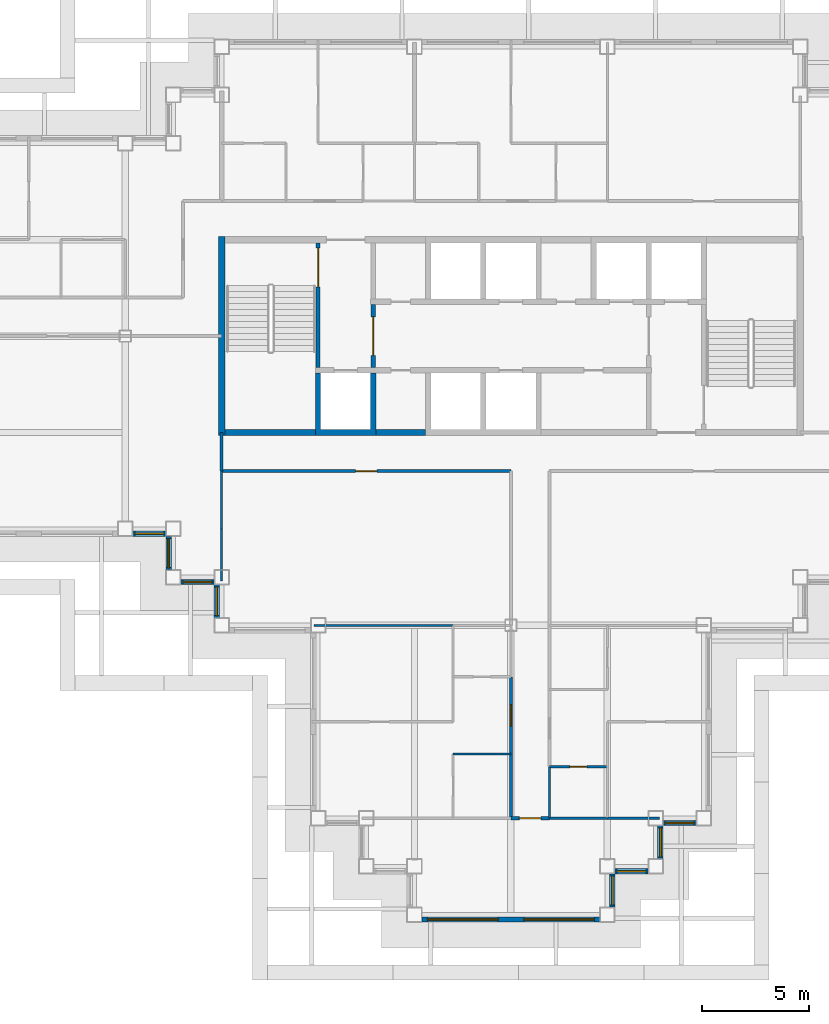
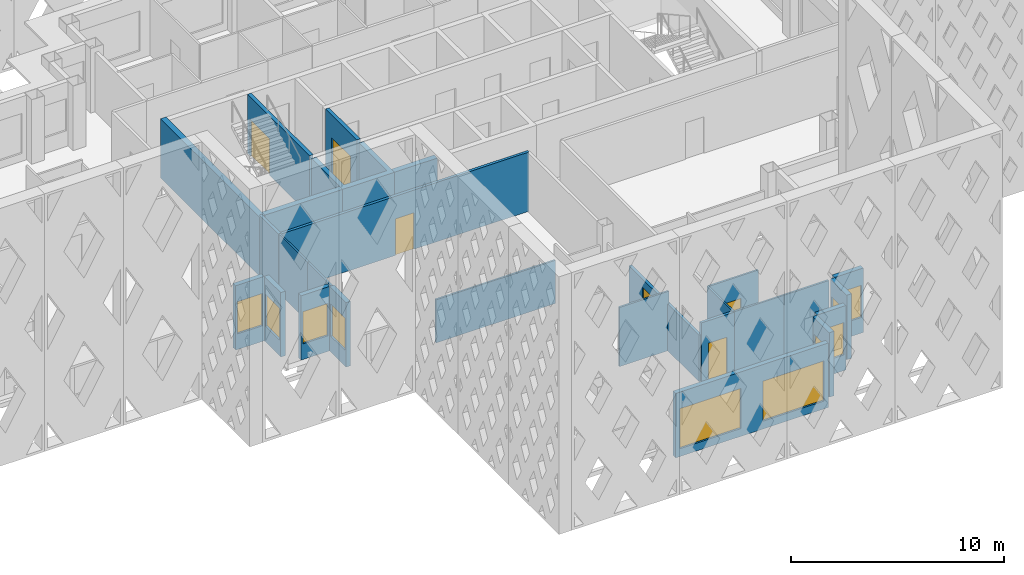
# One storey, part 3 of 16: 27 walls, 10 windows, 6 doors, 16 openings.
"""IFC4 building model written with IfcOpenShell, lengths in metres."""

from ifc_helpers import new_model, si_unit, direction, frame, frame_2d, origin, place, context, subcontext, project, spatial, polyline, rectangle, outline, extrude, material, layer, layer_set, type_object, element, fill, save


model = new_model("IFC4")

# Units and contexts
model_context = context("Model", 3, precision=1e-05, world=origin(), true_north=direction((0.0, 1.0)))
body_context = subcontext(model_context, "Body", "Model", "MODEL_VIEW")
ifc_project = project(units=[si_unit("LENGTHUNIT", "METRE"), si_unit("AREAUNIT", "SQUARE_METRE"), si_unit("VOLUMEUNIT", "CUBIC_METRE"), si_unit("PLANEANGLEUNIT", "RADIAN"), si_unit("MASSUNIT", "GRAM", prefix="KILO")], contexts=[model_context])

# Site, building, storey
site_placement = place(None, origin())
site = spatial("IfcSite", under=ifc_project, at=site_placement, CompositionType="ELEMENT")
building_placement = place(site_placement, origin())
building = spatial("IfcBuilding", under=site, at=building_placement, Name="Caravel Reach Hotel and Residences", CompositionType="ELEMENT")
storey_placement = place(building_placement, frame((0.0, 0.0, 207.199951171875)))
storey = spatial("IfcBuildingStorey", under=building, at=storey_placement, Name="L52", CompositionType="ELEMENT", Elevation=207.199951171875)

# Wall
ifc_material_1 = material(Name="Gypsum board on steel stud", Category="steel")
ifc_layer_1 = layer(ifc_material_1, 0.10009765625)
ifc_layer_set_1 = layer_set([ifc_layer_1], Name="Bathroom pod wall 100 mm")
wall_type_1 = type_object("IfcWallType", Name="Bathroom pod wall 100 mm", PredefinedType="PARTITIONING", material=ifc_layer_set_1)
wall_1_placement = place(storey_placement, frame((33.300048828125, 4.5, 0.0), z_axis=(0.0, 0.0, 1.0), x_axis=(1.0, 0.0, 0.0)))
element("IfcWall", 1, at=wall_1_placement, inside=storey, type_object=wall_type_1, Name="L52 wall w072", PredefinedType="PARTITIONING", context=body_context, shape_type="SweptSolid", body=[
    extrude(rectangle(XDim=2.699951171875, YDim=0.10009765625, at=frame_2d((1.35009765625, 0.0))), origin(), (0.0, 0.0, 1.0), 3.400146484375),
])

# Wall, opening, door
wall_2_placement = place(storey_placement, frame((33.300048828125, 6.89990234375, 0.0), z_axis=(0.0, 0.0, 1.0), x_axis=(1.0, 0.0, 0.0)))
wall_2 = element("IfcWall", 2, at=wall_2_placement, inside=storey, type_object=wall_type_1, Name="L52 wall w073", PredefinedType="PARTITIONING", context=body_context, shape_type="SweptSolid", body=[
    extrude(rectangle(XDim=2.699951171875, YDim=0.10009765625, at=frame_2d((1.35009765625, 0.0))), origin(), (0.0, 0.0, 1.0), 3.400146484375),
])
opening_1_placement = place(wall_2_placement, frame((0.949951171875, 0.0, 0.0)))
opening_1 = element("IfcOpeningElement", 3, at=opening_1_placement, cuts=wall_2, Name="Opening D52-037", PredefinedType="OPENING", context=body_context, shape_type="SweptSolid", body=[
    extrude(rectangle(XDim=0.800048828125, YDim=2.10009765625, at=frame_2d((0.39990234375, 1.050048828125))), frame((0.0, 0.06005859375, 0.0), z_axis=(0.0, -1.0, 0.0), x_axis=(1.0, 0.0, 0.0)), (0.0, 0.0, 1.0), 0.1201171875),
])
ifc_material_2 = material(Name="Timber and steel door leaf", Category="steel")
door_type_1 = type_object("IfcDoorType", Name="Bathroom door 800 x 2100", OperationType="SINGLE_SWING_LEFT", PredefinedType="DOOR", material=ifc_material_2)
door_1_placement = place(opening_1_placement, origin())
door_1 = element("IfcDoor", 4, at=door_1_placement, inside=storey, type_object=door_type_1, Name="door D52-037", OperationType="SINGLE_SWING_LEFT", OverallHeight=2.10009765625, OverallWidth=0.800048828125, PredefinedType="DOOR", context=body_context, shape_type="SweptSolid", body=[
    extrude(rectangle(XDim=0.800048828125, YDim=2.10009765625, at=frame_2d((0.39990234375, 1.050048828125))), frame((0.0, 0.02490234375, 0.0), z_axis=(0.0, -1.0, 0.0), x_axis=(1.0, 0.0, 0.0)), (0.0, 0.0, 1.0), 0.050048828125),
])
fill(opening_1, door_1)

# Walls
wall_3_placement = place(storey_placement, frame((33.300048828125, 4.5, 0.0), z_axis=(0.0, 0.0, 1.0), x_axis=(0.0, 1.0, 0.0)))
element("IfcWall", 5, at=wall_3_placement, inside=storey, type_object=wall_type_1, Name="L52 wall w078", PredefinedType="PARTITIONING", context=body_context, shape_type="SweptSolid", body=[
    extrude(rectangle(XDim=2.39990234375, YDim=0.10009765625, at=frame_2d((1.199951171875, 0.0))), origin(), (0.0, 0.0, 1.0), 3.400146484375),
])
ifc_material_3 = material(Name="Concrete C60", Category="concrete")
ifc_layer_2 = layer(ifc_material_3, 0.300048828125)
ifc_layer_set_2 = layer_set([ifc_layer_2], Name="Core wall 300 mm EI 120")
wall_type_2 = type_object("IfcWallType", Name="Core wall 300 mm EI 120", PredefinedType="SHEAR", material=ifc_layer_set_2)
wall_4_placement = place(storey_placement, frame((18.14990234375, 22.5, 0.0), z_axis=(0.0, 0.0, 1.0), x_axis=(1.0, 0.0, 0.0)))
element("IfcWall", 6, at=wall_4_placement, inside=storey, type_object=wall_type_2, Name="L52 core wall S1", PredefinedType="SHEAR", context=body_context, shape_type="SweptSolid", body=[
    extrude(rectangle(XDim=4.22509765625, YDim=0.300048828125, at=frame_2d((2.112548828125, 0.0))), origin(), (0.0, 0.0, 1.0), 3.400146484375),
])
wall_5_placement = place(storey_placement, frame((25.196533203125, 22.5, 0.0), z_axis=(0.0, 0.0, 1.0), x_axis=(1.0, 0.0, 0.0)))
element("IfcWall", 7, at=wall_5_placement, inside=storey, type_object=wall_type_2, Name="L52 core wall S2", PredefinedType="SHEAR", context=body_context, shape_type="SweptSolid", body=[
    extrude(rectangle(XDim=2.3212890625, YDim=0.300048828125, at=frame_2d((1.16064453125, 0.0))), origin(), (0.0, 0.0, 1.0), 3.400146484375),
])
wall_6_placement = place(storey_placement, frame((18.0, 22.35009765625, 0.0), z_axis=(0.0, 0.0, 1.0), x_axis=(0.0, 1.0, 0.0)))
element("IfcWall", 8, at=wall_6_placement, inside=storey, type_object=wall_type_2, Name="L52 core wall W", PredefinedType="SHEAR", context=body_context, shape_type="SweptSolid", body=[
    extrude(rectangle(XDim=9.2998046875, YDim=0.300048828125, at=frame_2d((4.64990234375, 0.0))), origin(), (0.0, 0.0, 1.0), 3.400146484375),
])

# Wall, opening, door
ifc_material_4 = material(Name="Gypsum board on steel stud, fire-rated", Category="steel")
ifc_layer_3 = layer(ifc_material_4, 0.14990234375)
ifc_layer_set_3 = layer_set([ifc_layer_3], Name="Corridor wall 150 mm EI 60")
wall_type_3 = type_object("IfcWallType", Name="Corridor wall 150 mm EI 60", PredefinedType="PARTITIONING", material=ifc_layer_set_3)
wall_7_placement = place(storey_placement, frame((18.0, 20.699951171875, 0.0), z_axis=(0.0, 0.0, 1.0), x_axis=(1.0, 0.0, 0.0)))
wall_7 = element("IfcWall", 9, at=wall_7_placement, inside=storey, type_object=wall_type_3, Name="L52 wall w004", PredefinedType="PARTITIONING", context=body_context, shape_type="SweptSolid", body=[
    extrude(rectangle(XDim=13.5, YDim=0.14990234375, at=frame_2d((6.75, 0.0))), origin(), (0.0, 0.0, 1.0), 3.400146484375),
])
opening_2_placement = place(wall_7_placement, frame((6.25, 0.0, 0.0)))
opening_2 = element("IfcOpeningElement", 10, at=opening_2_placement, cuts=wall_7, Name="Opening D52-030", PredefinedType="OPENING", context=body_context, shape_type="SweptSolid", body=[
    extrude(rectangle(XDim=1.0, YDim=2.10009765625, at=frame_2d((0.5, 1.050048828125))), frame((0.0, 0.0849609375, 0.0), z_axis=(0.0, -1.0, 0.0), x_axis=(1.0, 0.0, 0.0)), (0.0, 0.0, 1.0), 0.169921875),
])
ifc_material_5 = material(Name="Steel fire door leaf", Category="steel")
door_type_2 = type_object("IfcDoorType", Name="Fire door 1000 x 2100 EI 60", OperationType="SINGLE_SWING_LEFT", PredefinedType="DOOR", material=ifc_material_5)
door_2_placement = place(opening_2_placement, origin())
door_2 = element("IfcDoor", 11, at=door_2_placement, inside=storey, type_object=door_type_2, Name="door D52-030", OperationType="SINGLE_SWING_LEFT", OverallHeight=2.10009765625, OverallWidth=1.0, PredefinedType="DOOR", context=body_context, shape_type="SweptSolid", body=[
    extrude(rectangle(XDim=1.0, YDim=2.10009765625, at=frame_2d((0.5, 1.050048828125))), frame((0.0, 0.02490234375, 0.0), z_axis=(0.0, -1.0, 0.0), x_axis=(1.0, 0.0, 0.0)), (0.0, 0.0, 1.0), 0.050048828125),
])
fill(opening_2, door_2)

wall_8_placement = place(storey_placement, frame((31.5, 4.5, 0.0), z_axis=(0.0, 0.0, 1.0), x_axis=(1.0, 0.0, 0.0)))
wall_8 = element("IfcWall", 12, at=wall_8_placement, inside=storey, type_object=wall_type_3, Name="L52 wall w016", PredefinedType="PARTITIONING", context=body_context, shape_type="SweptSolid", body=[
    extrude(rectangle(XDim=1.800048828125, YDim=0.14990234375, at=frame_2d((0.89990234375, 0.0))), origin(), (0.0, 0.0, 1.0), 3.400146484375),
])
opening_3_placement = place(wall_8_placement, frame((0.39990234375, 0.0, 0.0)))
opening_3 = element("IfcOpeningElement", 13, at=opening_3_placement, cuts=wall_8, Name="Opening D52-042", PredefinedType="OPENING", context=body_context, shape_type="SweptSolid", body=[
    extrude(rectangle(XDim=1.0, YDim=2.10009765625, at=frame_2d((0.5, 1.050048828125))), frame((0.0, 0.0849609375, 0.0), z_axis=(0.0, -1.0, 0.0), x_axis=(1.0, 0.0, 0.0)), (0.0, 0.0, 1.0), 0.169921875),
])
door_3_placement = place(opening_3_placement, origin())
door_3 = element("IfcDoor", 14, at=door_3_placement, inside=storey, type_object=door_type_2, Name="door D52-042", OperationType="SINGLE_SWING_RIGHT", OverallHeight=2.10009765625, OverallWidth=1.0, PredefinedType="DOOR", context=body_context, shape_type="SweptSolid", body=[
    extrude(rectangle(XDim=1.0, YDim=2.10009765625, at=frame_2d((0.5, 1.050048828125))), frame((0.0, 0.02490234375, 0.0), z_axis=(0.0, -1.0, 0.0), x_axis=(1.0, 0.0, 0.0)), (0.0, 0.0, 1.0), 0.050048828125),
])
fill(opening_3, door_3)

# Wall
wall_9_placement = place(storey_placement, frame((18.0, 20.699951171875, 0.0), z_axis=(0.0, 0.0, 1.0), x_axis=(0.0, 1.0, 0.0)))
element("IfcWall", 15, at=wall_9_placement, inside=storey, type_object=wall_type_3, Name="L52 wall w018", PredefinedType="PARTITIONING", context=body_context, shape_type="SweptSolid", body=[
    extrude(rectangle(XDim=1.800048828125, YDim=0.14990234375, at=frame_2d((0.89990234375, 0.0))), origin(), (0.0, 0.0, 1.0), 3.400146484375),
])

# Wall, opening, door
wall_10_placement = place(storey_placement, frame((31.5, 4.5, 0.0), z_axis=(0.0, 0.0, 1.0), x_axis=(0.0, 1.0, 0.0)))
wall_10 = element("IfcWall", 16, at=wall_10_placement, inside=storey, type_object=wall_type_3, Name="L52 wall w020", PredefinedType="PARTITIONING", context=body_context, shape_type="SweptSolid", body=[
    extrude(rectangle(XDim=6.60009765625, YDim=0.14990234375, at=frame_2d((3.300048828125, 0.0))), origin(), (0.0, 0.0, 1.0), 2.679931640625),
])
opening_4_placement = place(wall_10_placement, frame((4.300048828125, 0.0, 0.0)))
opening_4 = element("IfcOpeningElement", 17, at=opening_4_placement, cuts=wall_10, Name="Opening D52-032", PredefinedType="OPENING", context=body_context, shape_type="SweptSolid", body=[
    extrude(rectangle(XDim=1.0, YDim=2.199951171875, at=frame_2d((0.5, 1.10009765625))), frame((0.0, 0.0849609375, 0.0), z_axis=(0.0, -1.0, 0.0), x_axis=(1.0, 0.0, 0.0)), (0.0, 0.0, 1.0), 0.169921875),
])
ifc_material_6 = material(Name="Steel fire door leaf", Category="steel")
door_type_3 = type_object("IfcDoorType", Name="Flat entrance door 1000 x 2200 EI 60", OperationType="SINGLE_SWING_LEFT", PredefinedType="DOOR", material=ifc_material_6)
door_4_placement = place(opening_4_placement, origin())
door_4 = element("IfcDoor", 18, at=door_4_placement, inside=storey, type_object=door_type_3, Name="door D52-032", OperationType="SINGLE_SWING_RIGHT", OverallHeight=2.199951171875, OverallWidth=1.0, PredefinedType="DOOR", context=body_context, shape_type="SweptSolid", body=[
    extrude(rectangle(XDim=1.0, YDim=2.199951171875, at=frame_2d((0.5, 1.10009765625))), frame((0.0, 0.02490234375, 0.0), z_axis=(0.0, -1.0, 0.0), x_axis=(1.0, 0.0, 0.0)), (0.0, 0.0, 1.0), 0.050048828125),
])
fill(opening_4, door_4)

# Wall, opening, window
ifc_material_7 = material(Name="Insulated rainscreen wall, aluminium cladding", Category="aluminium")
ifc_layer_4 = layer(ifc_material_7, 0.25)
ifc_layer_set_4 = layer_set([ifc_layer_4], Name="EW1 Tower rainscreen wall")
wall_type_4 = type_object("IfcWallType", Name="EW1 Tower rainscreen wall", PredefinedType="SOLIDWALL", material=ifc_layer_set_4)
wall_11_placement = place(storey_placement, frame((13.85009765625, 17.77490234375, 0.0), z_axis=(0.0, 0.0, 1.0), x_axis=(1.0, 0.0, 0.0)))
wall_11 = element("IfcWall", 19, at=wall_11_placement, inside=storey, type_object=wall_type_4, Name="External wall L52 S25.2", PredefinedType="SOLIDWALL", context=body_context, shape_type="SweptSolid", body=[
    extrude(rectangle(XDim=1.5498046875, YDim=0.25, at=frame_2d((0.77490234375, 0.0))), origin(), (0.0, 0.0, 1.0), 3.699951171875),
])
opening_5_placement = place(wall_11_placement, frame((0.10009765625, 0.0, 0.89990234375)))
opening_5 = element("IfcOpeningElement", 20, at=opening_5_placement, cuts=wall_11, Name="Opening WN21", PredefinedType="OPENING", context=body_context, shape_type="SweptSolid", body=[
    extrude(rectangle(XDim=1.35009765625, YDim=1.85009765625, at=frame_2d((0.675048828125, 0.925048828125))), frame((0.0, 0.135009765625, 0.0), z_axis=(0.0, -1.0, 0.0), x_axis=(1.0, 0.0, 0.0)), (0.0, 0.0, 1.0), 0.27001953125),
])
ifc_material_8 = material(Name="Dark low-e glazing in black aluminium frame", Category="aluminium")
window_type_1 = type_object("IfcWindowType", Name="Residence bedroom window 1350 x 1850", PartitioningType="SINGLE_PANEL", PredefinedType="WINDOW", material=ifc_material_8)
window_1_placement = place(opening_5_placement, origin())
window_1 = element("IfcWindow", 21, at=window_1_placement, inside=storey, type_object=window_type_1, Name="Window L52 S25.2.1", OverallHeight=1.85009765625, OverallWidth=1.35009765625, PartitioningType="SINGLE_PANEL", PredefinedType="WINDOW", context=body_context, shape_type="SweptSolid", body=[
    extrude(rectangle(XDim=1.35009765625, YDim=1.85009765625, at=frame_2d((0.675048828125, 0.925048828125))), frame((0.0, 0.030029296875, 0.0), z_axis=(0.0, -1.0, 0.0), x_axis=(1.0, 0.0, 0.0)), (0.0, 0.0, 1.0), 0.06005859375),
])
fill(opening_5, window_1)

wall_12_placement = place(storey_placement, frame((15.52490234375, 17.64990234375, 0.0), z_axis=(0.0, 0.0, 1.0), x_axis=(0.0, -1.0, 0.0)))
wall_12 = element("IfcWall", 22, at=wall_12_placement, inside=storey, type_object=wall_type_4, Name="External wall L52 W26.1", PredefinedType="SOLIDWALL", context=body_context, shape_type="SweptSolid", body=[
    extrude(rectangle(XDim=1.5498046875, YDim=0.25, at=frame_2d((0.77490234375, 0.0))), origin(), (0.0, 0.0, 1.0), 3.699951171875),
])
opening_6_placement = place(wall_12_placement, frame((0.10009765625, 0.0, 0.89990234375)))
opening_6 = element("IfcOpeningElement", 23, at=opening_6_placement, cuts=wall_12, Name="Opening WN21", PredefinedType="OPENING", context=body_context, shape_type="SweptSolid", body=[
    extrude(rectangle(XDim=1.35009765625, YDim=1.85009765625, at=frame_2d((0.675048828125, 0.925048828125))), frame((0.0, 0.135009765625, 0.0), z_axis=(0.0, -1.0, 0.0), x_axis=(1.0, 0.0, 0.0)), (0.0, 0.0, 1.0), 0.27001953125),
])
window_2_placement = place(opening_6_placement, origin())
window_2 = element("IfcWindow", 24, at=window_2_placement, inside=storey, type_object=window_type_1, Name="Window L52 W26.1.1", OverallHeight=1.85009765625, OverallWidth=1.35009765625, PartitioningType="SINGLE_PANEL", PredefinedType="WINDOW", context=body_context, shape_type="SweptSolid", body=[
    extrude(rectangle(XDim=1.35009765625, YDim=1.85009765625, at=frame_2d((0.675048828125, 0.925048828125))), frame((0.0, 0.030029296875, 0.0), z_axis=(0.0, -1.0, 0.0), x_axis=(1.0, 0.0, 0.0)), (0.0, 0.0, 1.0), 0.06005859375),
])
fill(opening_6, window_2)

wall_13_placement = place(storey_placement, frame((16.10009765625, 15.52490234375, 0.0), z_axis=(0.0, 0.0, 1.0), x_axis=(1.0, 0.0, 0.0)))
wall_13 = element("IfcWall", 25, at=wall_13_placement, inside=storey, type_object=wall_type_4, Name="External wall L52 S27.1", PredefinedType="SOLIDWALL", context=body_context, shape_type="SweptSolid", body=[
    extrude(rectangle(XDim=1.5498046875, YDim=0.25, at=frame_2d((0.77490234375, 0.0))), origin(), (0.0, 0.0, 1.0), 3.699951171875),
])
opening_7_placement = place(wall_13_placement, frame((0.10009765625, 0.0, 0.89990234375)))
opening_7 = element("IfcOpeningElement", 26, at=opening_7_placement, cuts=wall_13, Name="Opening WN21", PredefinedType="OPENING", context=body_context, shape_type="SweptSolid", body=[
    extrude(rectangle(XDim=1.35009765625, YDim=1.85009765625, at=frame_2d((0.675048828125, 0.925048828125))), frame((0.0, 0.135009765625, 0.0), z_axis=(0.0, -1.0, 0.0), x_axis=(1.0, 0.0, 0.0)), (0.0, 0.0, 1.0), 0.27001953125),
])
window_3_placement = place(opening_7_placement, origin())
window_3 = element("IfcWindow", 27, at=window_3_placement, inside=storey, type_object=window_type_1, Name="Window L52 S27.1.1", OverallHeight=1.85009765625, OverallWidth=1.35009765625, PartitioningType="SINGLE_PANEL", PredefinedType="WINDOW", context=body_context, shape_type="SweptSolid", body=[
    extrude(rectangle(XDim=1.35009765625, YDim=1.85009765625, at=frame_2d((0.675048828125, 0.925048828125))), frame((0.0, 0.030029296875, 0.0), z_axis=(0.0, -1.0, 0.0), x_axis=(1.0, 0.0, 0.0)), (0.0, 0.0, 1.0), 0.06005859375),
])
fill(opening_7, window_3)

wall_14_placement = place(storey_placement, frame((17.77490234375, 15.39990234375, 0.0), z_axis=(0.0, 0.0, 1.0), x_axis=(0.0, -1.0, 0.0)))
wall_14 = element("IfcWall", 28, at=wall_14_placement, inside=storey, type_object=wall_type_4, Name="External wall L52 W28.1", PredefinedType="SOLIDWALL", context=body_context, shape_type="SweptSolid", body=[
    extrude(rectangle(XDim=1.5498046875, YDim=0.25, at=frame_2d((0.77490234375, 0.0))), origin(), (0.0, 0.0, 1.0), 3.699951171875),
])
opening_8_placement = place(wall_14_placement, frame((0.10009765625, 0.0, 0.89990234375)))
opening_8 = element("IfcOpeningElement", 29, at=opening_8_placement, cuts=wall_14, Name="Opening WN21", PredefinedType="OPENING", context=body_context, shape_type="SweptSolid", body=[
    extrude(rectangle(XDim=1.35009765625, YDim=1.85009765625, at=frame_2d((0.675048828125, 0.925048828125))), frame((0.0, 0.135009765625, 0.0), z_axis=(0.0, -1.0, 0.0), x_axis=(1.0, 0.0, 0.0)), (0.0, 0.0, 1.0), 0.27001953125),
])
window_4_placement = place(opening_8_placement, origin())
window_4 = element("IfcWindow", 30, at=window_4_placement, inside=storey, type_object=window_type_1, Name="Window L52 W28.1.1", OverallHeight=1.85009765625, OverallWidth=1.35009765625, PartitioningType="SINGLE_PANEL", PredefinedType="WINDOW", context=body_context, shape_type="SweptSolid", body=[
    extrude(rectangle(XDim=1.35009765625, YDim=1.85009765625, at=frame_2d((0.675048828125, 0.925048828125))), frame((0.0, 0.030029296875, 0.0), z_axis=(0.0, -1.0, 0.0), x_axis=(1.0, 0.0, 0.0)), (0.0, 0.0, 1.0), 0.06005859375),
])
fill(opening_8, window_4)

# Wall, openings, windows
wall_15_placement = place(storey_placement, frame((27.35009765625, -0.22509765625, 0.0), z_axis=(0.0, 0.0, 1.0), x_axis=(1.0, 0.0, 0.0)))
wall_15 = element("IfcWall", 31, at=wall_15_placement, inside=storey, type_object=wall_type_4, Name="External wall L52 S35.1", PredefinedType="SOLIDWALL", context=body_context, shape_type="SweptSolid", body=[
    extrude(rectangle(XDim=8.2998046875, YDim=0.25, at=frame_2d((4.14990234375, 0.0))), origin(), (0.0, 0.0, 1.0), 3.699951171875),
])
opening_9_placement = place(wall_15_placement, frame((0.25, 0.0, 0.449951171875)))
opening_9 = element("IfcOpeningElement", 32, at=opening_9_placement, cuts=wall_15, Name="Opening WN15", PredefinedType="OPENING", context=body_context, shape_type="SweptSolid", body=[
    extrude(rectangle(XDim=3.300048828125, YDim=2.300048828125, at=frame_2d((1.64990234375, 1.14990234375))), frame((0.0, 0.135009765625, 0.0), z_axis=(0.0, -1.0, 0.0), x_axis=(1.0, 0.0, 0.0)), (0.0, 0.0, 1.0), 0.27001953125),
])
opening_10_placement = place(wall_15_placement, frame((4.75, 0.0, 0.449951171875)))
opening_10 = element("IfcOpeningElement", 33, at=opening_10_placement, cuts=wall_15, Name="Opening WN15", PredefinedType="OPENING", context=body_context, shape_type="SweptSolid", body=[
    extrude(rectangle(XDim=3.300048828125, YDim=2.300048828125, at=frame_2d((1.64990234375, 1.14990234375))), frame((0.0, 0.135009765625, 0.0), z_axis=(0.0, -1.0, 0.0), x_axis=(1.0, 0.0, 0.0)), (0.0, 0.0, 1.0), 0.27001953125),
])
ifc_material_9 = material(Name="Dark low-e glazing in black aluminium frame", Category="aluminium")
window_type_2 = type_object("IfcWindowType", Name="Residence living window 3300 x 2300", PartitioningType="SINGLE_PANEL", PredefinedType="WINDOW", material=ifc_material_9)
window_5_placement = place(opening_9_placement, origin())
window_5 = element("IfcWindow", 34, at=window_5_placement, inside=storey, type_object=window_type_2, Name="Window L52 S35.1.1", OverallHeight=2.300048828125, OverallWidth=3.300048828125, PartitioningType="SINGLE_PANEL", PredefinedType="WINDOW", context=body_context, shape_type="SweptSolid", body=[
    extrude(rectangle(XDim=3.300048828125, YDim=2.300048828125, at=frame_2d((1.64990234375, 1.14990234375))), frame((0.0, 0.030029296875, 0.0), z_axis=(0.0, -1.0, 0.0), x_axis=(1.0, 0.0, 0.0)), (0.0, 0.0, 1.0), 0.06005859375),
])
fill(opening_9, window_5)
window_6_placement = place(opening_10_placement, origin())
window_6 = element("IfcWindow", 35, at=window_6_placement, inside=storey, type_object=window_type_2, Name="Window L52 S35.1.2", OverallHeight=2.300048828125, OverallWidth=3.300048828125, PartitioningType="SINGLE_PANEL", PredefinedType="WINDOW", context=body_context, shape_type="SweptSolid", body=[
    extrude(rectangle(XDim=3.300048828125, YDim=2.300048828125, at=frame_2d((1.64990234375, 1.14990234375))), frame((0.0, 0.030029296875, 0.0), z_axis=(0.0, -1.0, 0.0), x_axis=(1.0, 0.0, 0.0)), (0.0, 0.0, 1.0), 0.06005859375),
])
fill(opening_10, window_6)

# Wall, opening, window
wall_16_placement = place(storey_placement, frame((36.22509765625, 0.35009765625, 0.0), z_axis=(0.0, 0.0, 1.0), x_axis=(0.0, 1.0, 0.0)))
wall_16 = element("IfcWall", 36, at=wall_16_placement, inside=storey, type_object=wall_type_4, Name="External wall L52 E36.1", PredefinedType="SOLIDWALL", context=body_context, shape_type="SweptSolid", body=[
    extrude(rectangle(XDim=1.5498046875, YDim=0.25, at=frame_2d((0.77490234375, 0.0))), origin(), (0.0, 0.0, 1.0), 3.699951171875),
])
opening_11_placement = place(wall_16_placement, frame((0.10009765625, 0.0, 0.89990234375)))
opening_11 = element("IfcOpeningElement", 37, at=opening_11_placement, cuts=wall_16, Name="Opening WN21", PredefinedType="OPENING", context=body_context, shape_type="SweptSolid", body=[
    extrude(rectangle(XDim=1.35009765625, YDim=1.85009765625, at=frame_2d((0.675048828125, 0.925048828125))), frame((0.0, 0.135009765625, 0.0), z_axis=(0.0, -1.0, 0.0), x_axis=(1.0, 0.0, 0.0)), (0.0, 0.0, 1.0), 0.27001953125),
])
window_7_placement = place(opening_11_placement, origin())
window_7 = element("IfcWindow", 38, at=window_7_placement, inside=storey, type_object=window_type_1, Name="Window L52 E36.1.1", OverallHeight=1.85009765625, OverallWidth=1.35009765625, PartitioningType="SINGLE_PANEL", PredefinedType="WINDOW", context=body_context, shape_type="SweptSolid", body=[
    extrude(rectangle(XDim=1.35009765625, YDim=1.85009765625, at=frame_2d((0.675048828125, 0.925048828125))), frame((0.0, 0.030029296875, 0.0), z_axis=(0.0, -1.0, 0.0), x_axis=(1.0, 0.0, 0.0)), (0.0, 0.0, 1.0), 0.06005859375),
])
fill(opening_11, window_7)

wall_17_placement = place(storey_placement, frame((36.35009765625, 2.02490234375, 0.0), z_axis=(0.0, 0.0, 1.0), x_axis=(1.0, 0.0, 0.0)))
wall_17 = element("IfcWall", 39, at=wall_17_placement, inside=storey, type_object=wall_type_4, Name="External wall L52 S37.1", PredefinedType="SOLIDWALL", context=body_context, shape_type="SweptSolid", body=[
    extrude(rectangle(XDim=1.5498046875, YDim=0.25, at=frame_2d((0.77490234375, 0.0))), origin(), (0.0, 0.0, 1.0), 3.699951171875),
])
opening_12_placement = place(wall_17_placement, frame((0.10009765625, 0.0, 0.89990234375)))
opening_12 = element("IfcOpeningElement", 40, at=opening_12_placement, cuts=wall_17, Name="Opening WN21", PredefinedType="OPENING", context=body_context, shape_type="SweptSolid", body=[
    extrude(rectangle(XDim=1.35009765625, YDim=1.85009765625, at=frame_2d((0.675048828125, 0.925048828125))), frame((0.0, 0.135009765625, 0.0), z_axis=(0.0, -1.0, 0.0), x_axis=(1.0, 0.0, 0.0)), (0.0, 0.0, 1.0), 0.27001953125),
])
window_8_placement = place(opening_12_placement, origin())
window_8 = element("IfcWindow", 41, at=window_8_placement, inside=storey, type_object=window_type_1, Name="Window L52 S37.1.1", OverallHeight=1.85009765625, OverallWidth=1.35009765625, PartitioningType="SINGLE_PANEL", PredefinedType="WINDOW", context=body_context, shape_type="SweptSolid", body=[
    extrude(rectangle(XDim=1.35009765625, YDim=1.85009765625, at=frame_2d((0.675048828125, 0.925048828125))), frame((0.0, 0.030029296875, 0.0), z_axis=(0.0, -1.0, 0.0), x_axis=(1.0, 0.0, 0.0)), (0.0, 0.0, 1.0), 0.06005859375),
])
fill(opening_12, window_8)

wall_18_placement = place(storey_placement, frame((38.47509765625, 2.60009765625, 0.0), z_axis=(0.0, 0.0, 1.0), x_axis=(0.0, 1.0, 0.0)))
wall_18 = element("IfcWall", 42, at=wall_18_placement, inside=storey, type_object=wall_type_4, Name="External wall L52 E38.1", PredefinedType="SOLIDWALL", context=body_context, shape_type="SweptSolid", body=[
    extrude(rectangle(XDim=1.5498046875, YDim=0.25, at=frame_2d((0.77490234375, 0.0))), origin(), (0.0, 0.0, 1.0), 3.699951171875),
])
opening_13_placement = place(wall_18_placement, frame((0.10009765625, 0.0, 0.89990234375)))
opening_13 = element("IfcOpeningElement", 43, at=opening_13_placement, cuts=wall_18, Name="Opening WN21", PredefinedType="OPENING", context=body_context, shape_type="SweptSolid", body=[
    extrude(rectangle(XDim=1.35009765625, YDim=1.85009765625, at=frame_2d((0.675048828125, 0.925048828125))), frame((0.0, 0.135009765625, 0.0), z_axis=(0.0, -1.0, 0.0), x_axis=(1.0, 0.0, 0.0)), (0.0, 0.0, 1.0), 0.27001953125),
])
window_9_placement = place(opening_13_placement, origin())
window_9 = element("IfcWindow", 44, at=window_9_placement, inside=storey, type_object=window_type_1, Name="Window L52 E38.1.1", OverallHeight=1.85009765625, OverallWidth=1.35009765625, PartitioningType="SINGLE_PANEL", PredefinedType="WINDOW", context=body_context, shape_type="SweptSolid", body=[
    extrude(rectangle(XDim=1.35009765625, YDim=1.85009765625, at=frame_2d((0.675048828125, 0.925048828125))), frame((0.0, 0.030029296875, 0.0), z_axis=(0.0, -1.0, 0.0), x_axis=(1.0, 0.0, 0.0)), (0.0, 0.0, 1.0), 0.06005859375),
])
fill(opening_13, window_9)

wall_19_placement = place(storey_placement, frame((38.60009765625, 4.27490234375, 0.0), z_axis=(0.0, 0.0, 1.0), x_axis=(1.0, 0.0, 0.0)))
wall_19 = element("IfcWall", 45, at=wall_19_placement, inside=storey, type_object=wall_type_4, Name="External wall L52 S39.1", PredefinedType="SOLIDWALL", context=body_context, shape_type="SweptSolid", body=[
    extrude(rectangle(XDim=1.5498046875, YDim=0.25, at=frame_2d((0.77490234375, 0.0))), origin(), (0.0, 0.0, 1.0), 3.699951171875),
])
opening_14_placement = place(wall_19_placement, frame((0.10009765625, 0.0, 0.89990234375)))
opening_14 = element("IfcOpeningElement", 46, at=opening_14_placement, cuts=wall_19, Name="Opening WN21", PredefinedType="OPENING", context=body_context, shape_type="SweptSolid", body=[
    extrude(rectangle(XDim=1.35009765625, YDim=1.85009765625, at=frame_2d((0.675048828125, 0.925048828125))), frame((0.0, 0.135009765625, 0.0), z_axis=(0.0, -1.0, 0.0), x_axis=(1.0, 0.0, 0.0)), (0.0, 0.0, 1.0), 0.27001953125),
])
window_10_placement = place(opening_14_placement, origin())
window_10 = element("IfcWindow", 47, at=window_10_placement, inside=storey, type_object=window_type_1, Name="Window L52 S39.1.1", OverallHeight=1.85009765625, OverallWidth=1.35009765625, PartitioningType="SINGLE_PANEL", PredefinedType="WINDOW", context=body_context, shape_type="SweptSolid", body=[
    extrude(rectangle(XDim=1.35009765625, YDim=1.85009765625, at=frame_2d((0.675048828125, 0.925048828125))), frame((0.0, 0.030029296875, 0.0), z_axis=(0.0, -1.0, 0.0), x_axis=(1.0, 0.0, 0.0)), (0.0, 0.0, 1.0), 0.06005859375),
])
fill(opening_14, window_10)

# Wall, opening, door
ifc_material_10 = material(Name="Autoclaved aerated block wall")
ifc_layer_5 = layer(ifc_material_10, 0.199951171875)
ifc_layer_set_5 = layer_set([ifc_layer_5], Name="Fire lobby wall 200 mm EI 120")
wall_type_5 = type_object("IfcWallType", Name="Fire lobby wall 200 mm EI 120", PredefinedType="PARTITIONING", material=ifc_layer_set_5)
wall_20_placement = place(storey_placement, frame((25.071533203125, 25.52490234375, 0.0), z_axis=(0.0, 0.0, 1.0), x_axis=(0.0, 1.0, 0.0)))
wall_20 = element("IfcWall", 48, at=wall_20_placement, inside=storey, type_object=wall_type_5, Name="L52 lobby W wall", PredefinedType="PARTITIONING", context=body_context, shape_type="SweptSolid", body=[
    extrude(rectangle(XDim=2.9501953125, YDim=0.199951171875, at=frame_2d((1.47509765625, 0.0))), origin(), (0.0, 0.0, 1.0), 3.400146484375),
])
opening_15_placement = place(wall_20_placement, frame((0.574951171875, 0.0, 0.0)))
opening_15 = element("IfcOpeningElement", 49, at=opening_15_placement, cuts=wall_20, Name="Opening D52-012", PredefinedType="OPENING", context=body_context, shape_type="SweptSolid", body=[
    extrude(rectangle(XDim=1.800048828125, YDim=2.10009765625, at=frame_2d((0.89990234375, 1.050048828125))), frame((0.0, 0.10986328125, 0.0), z_axis=(0.0, -1.0, 0.0), x_axis=(1.0, 0.0, 0.0)), (0.0, 0.0, 1.0), 0.219970703125),
])
ifc_material_11 = material(Name="Steel fire door leaf", Category="steel")
door_type_4 = type_object("IfcDoorType", Name="Fire lobby door pair 1800 x 2100 EI 90", OperationType="DOUBLE_DOOR_SINGLE_SWING", PredefinedType="DOOR", material=ifc_material_11)
door_5_placement = place(opening_15_placement, origin())
door_5 = element("IfcDoor", 50, at=door_5_placement, inside=storey, type_object=door_type_4, Name="lobby W door pair", OperationType="DOUBLE_DOOR_SINGLE_SWING", OverallHeight=2.10009765625, OverallWidth=1.800048828125, PredefinedType="DOOR", context=body_context, shape_type="SweptSolid", body=[
    extrude(rectangle(XDim=1.800048828125, YDim=2.10009765625, at=frame_2d((0.89990234375, 1.050048828125))), frame((0.0, 0.02490234375, 0.0), z_axis=(0.0, -1.0, 0.0), x_axis=(1.0, 0.0, 0.0)), (0.0, 0.0, 1.0), 0.050048828125),
])
fill(opening_15, door_5)

# Walls
ifc_material_12 = material(Name="Gypsum board on steel stud", Category="steel")
ifc_layer_6 = layer(ifc_material_12, 0.10009765625)
ifc_layer_set_6 = layer_set([ifc_layer_6], Name="Partition 100 mm")
wall_type_6 = type_object("IfcWallType", Name="Partition 100 mm", PredefinedType="PARTITIONING", material=ifc_layer_set_6)
wall_21_placement = place(storey_placement, frame((22.31005859375, 13.5, 0.0), z_axis=(0.0, 0.0, 1.0), x_axis=(1.0, 0.0, 0.0)))
element("IfcWall", 51, at=wall_21_placement, inside=storey, type_object=wall_type_6, Name="L52 wall w030", PredefinedType="PARTITIONING", context=body_context, shape_type="SweptSolid", body=[
    extrude(rectangle(XDim=6.489990234375, YDim=0.10009765625, at=frame_2d((3.2451171875, 0.0))), origin(), (0.0, 0.0, 1.0), 2.47998046875),
])
wall_22_placement = place(storey_placement, frame((36.0, 4.5, 0.0), z_axis=(0.0, 0.0, 1.0), x_axis=(1.0, 0.0, 0.0)))
element("IfcWall", 52, at=wall_22_placement, inside=storey, type_object=wall_type_6, Name="L52 wall w038", PredefinedType="PARTITIONING", context=body_context, shape_type="SweptSolid", body=[
    extrude(rectangle(XDim=2.43994140625, YDim=0.10009765625, at=frame_2d((1.219970703125, 0.0))), origin(), (0.0, 0.0, 1.0), 3.400146484375),
])
wall_23_placement = place(storey_placement, frame((28.800048828125, 7.5, 0.0), z_axis=(0.0, 0.0, 1.0), x_axis=(1.0, 0.0, 0.0)))
element("IfcWall", 53, at=wall_23_placement, inside=storey, type_object=wall_type_6, Name="L52 wall w041", PredefinedType="PARTITIONING", context=body_context, shape_type="SweptSolid", body=[
    extrude(rectangle(XDim=2.699951171875, YDim=0.10009765625, at=frame_2d((1.35009765625, 0.0))), origin(), (0.0, 0.0, 1.0), 3.400146484375),
])
wall_24_placement = place(storey_placement, frame((18.0, 15.56005859375, 0.0), z_axis=(0.0, 0.0, 1.0), x_axis=(0.0, 1.0, 0.0)))
element("IfcWall", 54, at=wall_24_placement, inside=storey, type_object=wall_type_6, Name="L52 wall w046", PredefinedType="PARTITIONING", context=body_context, shape_type="SweptSolid", body=[
    extrude(rectangle(XDim=2.43896484375, YDim=0.10009765625, at=frame_2d((1.219482421875, 0.0))), origin(), (0.0, 0.0, 1.0), 3.400146484375),
])
wall_25_placement = place(storey_placement, frame((18.0, 18.0, 0.0), z_axis=(0.0, 0.0, 1.0), x_axis=(0.0, 1.0, 0.0)))
element("IfcWall", 55, at=wall_25_placement, inside=storey, type_object=wall_type_6, Name="L52 wall w047", PredefinedType="PARTITIONING", context=body_context, shape_type="SweptSolid", body=[
    extrude(rectangle(XDim=2.699951171875, YDim=0.10009765625, at=frame_2d((1.35009765625, 0.0))), origin(), (0.0, 0.0, 1.0), 3.400146484375),
])
ifc_material_13 = material(Name="Concrete C60", Category="concrete")
ifc_layer_7 = layer(ifc_material_13, 0.25)
ifc_layer_set_7 = layer_set([ifc_layer_7], Name="Shaft wall 250 mm EI 120")
wall_type_7 = type_object("IfcWallType", Name="Shaft wall 250 mm EI 120", PredefinedType="SHEAR", material=ifc_layer_set_7)
wall_26_placement = place(storey_placement, origin())
element("IfcWall", 56, at=wall_26_placement, inside=storey, type_object=wall_type_7, Name="L52 lift shaft wall S1", PredefinedType="SHEAR", context=body_context, shape_type="SweptSolid", body=[
    extrude(outline(polyline([(22.375, 22.35009765625), (25.196533203125, 22.35009765625), (25.196533203125, 25.27490234375), (24.946533203125, 25.27490234375), (24.946533203125, 22.64990234375), (22.625, 22.64990234375), (22.625, 25.27490234375), (22.375, 25.27490234375), (22.375, 22.35009765625)])), origin(), (0.0, 0.0, 1.0), 3.400146484375),
])

# Wall, opening, door
ifc_material_14 = material(Name="Concrete C60", Category="concrete")
ifc_layer_8 = layer(ifc_material_14, 0.199951171875)
ifc_layer_set_8 = layer_set([ifc_layer_8], Name="Stair enclosure wall 200 mm EI 120")
wall_type_8 = type_object("IfcWallType", Name="Stair enclosure wall 200 mm EI 120", PredefinedType="SHEAR", material=ifc_layer_set_8)
wall_27_placement = place(storey_placement, frame((22.5, 31.35009765625, 0.0), z_axis=(0.0, 0.0, 1.0), x_axis=(0.0, -1.0, 0.0)))
wall_27 = element("IfcWall", 57, at=wall_27_placement, inside=storey, type_object=wall_type_8, Name="L52 stair A wall", PredefinedType="SHEAR", context=body_context, shape_type="SweptSolid", body=[
    extrude(rectangle(XDim=5.8251953125, YDim=0.199951171875, at=frame_2d((2.91259765625, 0.0))), origin(), (0.0, 0.0, 1.0), 3.400146484375),
])
opening_16_placement = place(wall_27_placement, frame((0.25, 0.0, 0.0)))
opening_16 = element("IfcOpeningElement", 58, at=opening_16_placement, cuts=wall_27, Name="Opening D52-010", PredefinedType="OPENING", context=body_context, shape_type="SweptSolid", body=[
    extrude(rectangle(XDim=1.800048828125, YDim=2.10009765625, at=frame_2d((0.89990234375, 1.050048828125))), frame((0.0, 0.10986328125, 0.0), z_axis=(0.0, -1.0, 0.0), x_axis=(1.0, 0.0, 0.0)), (0.0, 0.0, 1.0), 0.219970703125),
])
ifc_material_15 = material(Name="Steel fire door leaf", Category="steel")
door_type_5 = type_object("IfcDoorType", Name="Stair door pair 1800 x 2100 EI 90", OperationType="DOUBLE_DOOR_SINGLE_SWING", PredefinedType="DOOR", material=ifc_material_15)
door_6_placement = place(opening_16_placement, origin())
door_6 = element("IfcDoor", 59, at=door_6_placement, inside=storey, type_object=door_type_5, Name="stair A door pair", OperationType="DOUBLE_DOOR_SINGLE_SWING", OverallHeight=2.10009765625, OverallWidth=1.800048828125, PredefinedType="DOOR", context=body_context, shape_type="SweptSolid", body=[
    extrude(rectangle(XDim=1.800048828125, YDim=2.10009765625, at=frame_2d((0.89990234375, 1.050048828125))), frame((0.0, 0.02490234375, 0.0), z_axis=(0.0, -1.0, 0.0), x_axis=(1.0, 0.0, 0.0)), (0.0, 0.0, 1.0), 0.050048828125),
])
fill(opening_16, door_6)

save(model, "model.ifc")
